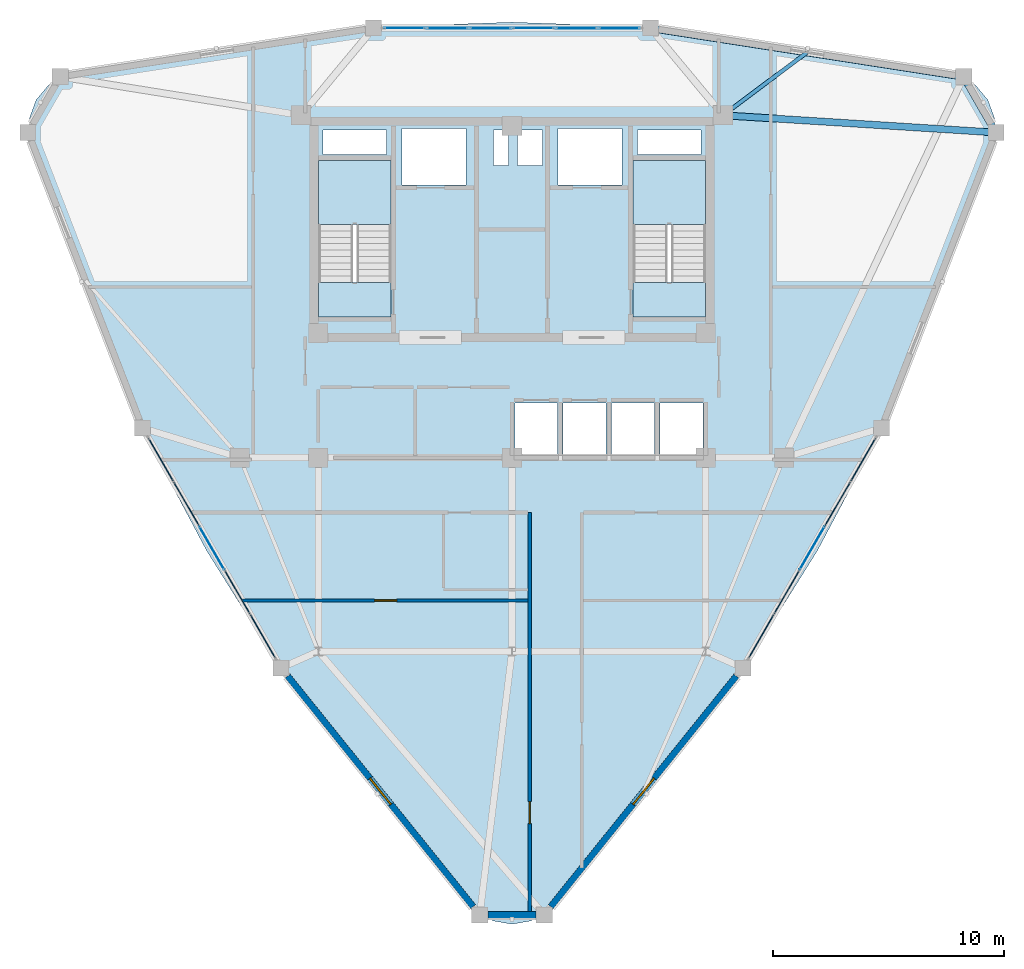
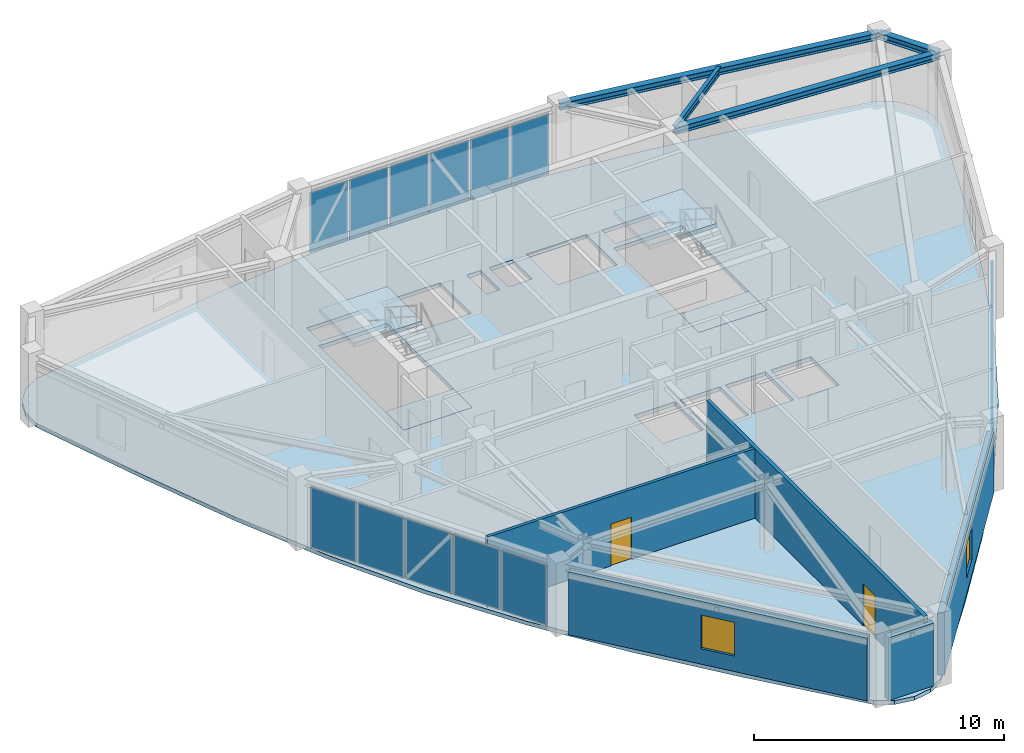
# One storey, part 10 of 15: 16 plates, 5 slabs, 5 walls, 4 beams, 2 doors, 2 windows, 4 openings, 5 elements without a shape of their own.
"""IFC4 building model written with IfcOpenShell, lengths in metres."""

from ifc_helpers import new_model, si_unit, derived_unit, direction, frame, frame_2d, origin, origin_2d, place, context, subcontext, project, spatial, polyline, rectangle, i_section, outline, extrude, source, transform, mapped, material, layer, layer_set, material_profile, profile_set, type_object, element, fill, aggregate, save


model = new_model("IFC4")

# Units and contexts
model_context = context("Model", 3, precision=1e-05, world=origin(), true_north=direction((0.0, 1.0)))
body_context = subcontext(model_context, "Body", "Model", "MODEL_VIEW")
ifc_project = project(units=[si_unit("LENGTHUNIT", "METRE"), si_unit("AREAUNIT", "SQUARE_METRE"), si_unit("VOLUMEUNIT", "CUBIC_METRE"), si_unit("PLANEANGLEUNIT", "RADIAN"), si_unit("MASSUNIT", "GRAM", prefix="KILO"), derived_unit("THERMALTRANSMITTANCEUNIT", [(si_unit("POWERUNIT", "WATT"), 1), (si_unit("LENGTHUNIT", "METRE"), -2), (si_unit("THERMODYNAMICTEMPERATUREUNIT", "KELVIN"), -1)])], contexts=[model_context])

# Site, building, storey
site_placement = place(None, origin())
site = spatial("IfcSite", under=ifc_project, at=site_placement, CompositionType="ELEMENT")
building_placement = place(site_placement, origin())
building = spatial("IfcBuilding", under=site, at=building_placement, Name="Korsvarv Bourse and Concert Hall", CompositionType="ELEMENT")
storey_placement = place(building_placement, frame((0.0, 0.0, 246.60009765625)))
storey = spatial("IfcBuildingStorey", under=building, at=storey_placement, Name="L64", CompositionType="ELEMENT", Elevation=246.60009765625)

# Beams
ifc_material_1 = material(Name="Steel S355", Category="steel")
ifc_material_profile_1 = material_profile(ifc_material_1, i_section(OverallWidth=0.300048828125, OverallDepth=0.330078125, WebThickness=0.009521484375, FlangeThickness=0.0166015625, FilletRadius=0.02099609375, at=origin_2d()), Name="HEA 340")
ifc_profile_set_1 = profile_set([ifc_material_profile_1], Name="Steel S355")
beam_type_1 = type_object("IfcBeamType", Name="BM-HEA340", PredefinedType="BEAM", material=ifc_profile_set_1)
shared_shape_1 = source(origin(), body_context, "Body", "SweptSolid", [
    extrude(i_section(OverallWidth=0.300048828125, OverallDepth=0.330078125, WebThickness=0.009521484375, FlangeThickness=0.0166015625, FilletRadius=0.02099609375, at=origin_2d()), origin(), (0.0, 0.0, 1.0), 2.794921875),
])
beam_1_placement = place(storey_placement, frame((56.98779296875, 46.503662109375, 3.244873046875), z_axis=(-0.500009789943, 0.866019751484, 0.0), x_axis=(-0.866019751484, -0.500009789943, 0.0)))
element("IfcBeam", 1, at=beam_1_placement, inside=storey, type_object=beam_type_1, Name="L64 beam B-12", PredefinedType="BEAM", context=body_context, shape_type="MappedRepresentation", body=[
    mapped(shared_shape_1, transform((0.0, 0.0, 0.0), scale=1.0)),
])
shared_shape_2 = source(origin(), body_context, "Body", "SweptSolid", [
    extrude(i_section(OverallWidth=0.300048828125, OverallDepth=0.330078125, WebThickness=0.009521484375, FlangeThickness=0.0166015625, FilletRadius=0.02099609375, at=origin_2d()), origin(), (0.0, 0.0, 1.0), 13.74853515625),
])
beam_2_placement = place(storey_placement, frame((55.59033203125, 48.924072265625, 3.244873046875), z_axis=(-0.988168614185, 0.153371411744, 0.0), x_axis=(-0.153371411744, -0.988168614185, 0.0)))
element("IfcBeam", 2, at=beam_2_placement, inside=storey, type_object=beam_type_1, Name="L64 beam B-12", PredefinedType="BEAM", context=body_context, shape_type="MappedRepresentation", body=[
    mapped(shared_shape_2, transform((0.0, 0.0, 0.0), scale=1.0)),
])
shared_shape_3 = source(origin(), body_context, "Body", "SweptSolid", [
    extrude(i_section(OverallWidth=0.300048828125, OverallDepth=0.330078125, WebThickness=0.009521484375, FlangeThickness=0.0166015625, FilletRadius=0.02099609375, at=origin_2d()), origin(), (0.0, 0.0, 1.0), 11.861328125),
])
beam_3_placement = place(storey_placement, frame((56.98779296875, 46.503662109375, 3.244873046875), z_axis=(-0.998018472991, 0.06292159858, 0.0), x_axis=(-0.06292159858, -0.998018472991, 0.0)))
element("IfcBeam", 3, at=beam_3_placement, inside=storey, type_object=beam_type_1, Name="L64 beam B-12", PredefinedType="BEAM", context=body_context, shape_type="MappedRepresentation", body=[
    mapped(shared_shape_3, transform((0.0, 0.0, 0.0), scale=1.0)),
])
ifc_material_profile_2 = material_profile(ifc_material_1, i_section(OverallWidth=0.169921875, OverallDepth=0.360107421875, WebThickness=0.008056640625, FlangeThickness=0.0126953125, FilletRadius=0.01806640625, at=origin_2d()), Name="IPE 360")
ifc_profile_set_2 = profile_set([ifc_material_profile_2], Name="Steel S355")
beam_type_2 = type_object("IfcBeamType", Name="BM-IPE360", PredefinedType="JOIST", material=ifc_profile_set_2)
shared_shape_4 = source(origin(), body_context, "Body", "SweptSolid", [
    extrude(i_section(OverallWidth=0.169921875, OverallDepth=0.360107421875, WebThickness=0.008056640625, FlangeThickness=0.0126953125, FilletRadius=0.01806640625, at=origin_2d()), origin(), (0.0, 0.0, 1.0), 4.55517578125),
])
beam_4_placement = place(storey_placement, frame((48.79736328125, 49.978515625, 3.22998046875), z_axis=(-0.800745457612, -0.599004768023, 0.0), x_axis=(0.599004768023, -0.800745457612, 0.0)))
element("IfcBeam", 4, at=beam_4_placement, inside=storey, type_object=beam_type_2, Name="L64 beam J-06", PredefinedType="JOIST", context=body_context, shape_type="MappedRepresentation", body=[
    mapped(shared_shape_4, transform((0.0, 0.0, 0.0), scale=1.0)),
])

# Slabs
ifc_material_2 = material(Name="Precast concrete C45/55", Category="concrete")
ifc_layer_1 = layer(ifc_material_2, 0.199951171875)
ifc_layer_set_1 = layer_set([ifc_layer_1], Name="Precast concrete C45/55")
slab_type_1 = type_object("IfcSlabType", Name="SLB-FLND-T", PredefinedType="LANDING", material=ifc_layer_set_1)
slab_1_placement = place(storey_placement, frame((0.0, 0.0, -0.2001953125)))
element("IfcSlab", 5, at=slab_1_placement, inside=storey, type_object=slab_type_1, Name="L64 Stair ST-T1 Floor Landing Slab", PredefinedType="LANDING", context=body_context, shape_type="SweptSolid", body=[
    extrude(outline(polyline([(30.760009765625, 38.5), (30.760009765625, 40.0), (27.60009765625, 40.0), (27.60009765625, 38.5), (30.760009765625, 38.5)])), origin(), (0.0, 0.0, 1.0), 0.2001953125),
])
slab_2_placement = place(storey_placement, frame((0.0, 0.0, -0.2001953125)))
element("IfcSlab", 6, at=slab_2_placement, inside=storey, type_object=slab_type_1, Name="L64 Stair ST-T2 Floor Landing Slab", PredefinedType="LANDING", context=body_context, shape_type="SweptSolid", body=[
    extrude(outline(polyline([(44.39990234375, 38.5), (44.39990234375, 40.0), (41.239990234375, 40.0), (41.239990234375, 38.5), (44.39990234375, 38.5)])), origin(), (0.0, 0.0, 1.0), 0.2001953125),
])

# Stair, slab
stair_type = type_object("IfcStairType", Name="STR-TYPE-04", PredefinedType="HALF_TURN_STAIR", material=ifc_material_2)
stair_1_placement = place(storey_placement, origin())
stair_1 = element("IfcStair", 7, at=stair_1_placement, inside=storey, type_object=stair_type, Name="L64 Tower West Exit Stair ST-T1", PredefinedType="HALF_TURN_STAIR")
ifc_layer_2 = layer(ifc_material_2, 0.199951171875)
ifc_layer_set_2 = layer_set([ifc_layer_2], Name="Precast concrete C45/55")
slab_type_2 = type_object("IfcSlabType", Name="SLB-ST-LND", PredefinedType="LANDING", material=ifc_layer_set_2)
slab_3_placement = place(storey_placement, frame((0.0, 0.0, 1.599853515625)))
slab_3 = element("IfcSlab", 8, at=slab_3_placement, type_object=slab_type_2, Name="ST-T1 landing 1", PredefinedType="LANDING", context=body_context, shape_type="SweptSolid", body=[
    extrude(outline(polyline([(30.760009765625, 42.52001953125), (30.760009765625, 45.300048828125), (27.60009765625, 45.300048828125), (27.60009765625, 42.52001953125), (30.760009765625, 42.52001953125)])), origin(), (0.0, 0.0, 1.0), 0.199951171875),
])
aggregate(stair_1, [slab_3])

stair_2_placement = place(storey_placement, origin())
stair_2 = element("IfcStair", 9, at=stair_2_placement, inside=storey, type_object=stair_type, Name="L64 Tower East Exit Stair ST-T2", PredefinedType="HALF_TURN_STAIR")
slab_4_placement = place(storey_placement, frame((0.0, 0.0, 1.599853515625)))
slab_4 = element("IfcSlab", 10, at=slab_4_placement, type_object=slab_type_2, Name="ST-T2 landing 1", PredefinedType="LANDING", context=body_context, shape_type="SweptSolid", body=[
    extrude(outline(polyline([(44.39990234375, 42.52001953125), (44.39990234375, 45.300048828125), (41.239990234375, 45.300048828125), (41.239990234375, 42.52001953125), (44.39990234375, 42.52001953125)])), origin(), (0.0, 0.0, 1.0), 0.199951171875),
])
aggregate(stair_2, [slab_4])

# Slab
ifc_material_3 = material(Name="Concrete C45/55", Category="concrete")
ifc_layer_3 = layer(ifc_material_3, 0.18994140625)
ifc_layer_set_3 = layer_set([ifc_layer_3], Name="Concrete C45/55")
slab_type_3 = type_object("IfcSlabType", Name="SLB-TW3", PredefinedType="FLOOR", material=ifc_layer_set_3)
slab_5_placement = place(storey_placement, frame((0.0, 0.0, -0.190185546875)))
element("IfcSlab", 11, at=slab_5_placement, inside=storey, type_object=slab_type_3, Name="L64 tower structural floor slab", PredefinedType="FLOOR", context=body_context, shape_type="SweptSolid", body=[
    extrude(outline(polyline([(56.586181640625, 45.354248046875), (54.984375, 40.93798828125), (53.281982421875, 36.6044921875), (51.3876953125, 32.4013671875), (49.239013671875, 28.3564453125), (46.810302734375, 24.47314453125), (44.11767578125, 20.731201171875), (41.2158203125, 17.090087890625), (38.192138671875, 13.49462890625), (38.191650390625, 13.493896484375), (37.552490234375, 12.732421875), (36.826171875, 12.31298828125), (36.0, 12.16748046875), (35.173828125, 12.31298828125), (34.447509765625, 12.732421875), (33.808349609375, 13.493896484375), (33.807861328125, 13.49462890625), (30.7841796875, 17.090087890625), (27.88232421875, 20.731201171875), (25.189697265625, 24.47314453125), (22.760986328125, 28.3564453125), (20.6123046875, 32.4013671875), (18.718017578125, 36.6044921875), (17.015625, 40.93798828125), (15.413818359375, 45.354248046875), (15.413330078125, 45.35498046875), (15.073486328125, 46.289306640625), (15.073486328125, 47.1279296875), (15.3603515625, 47.916259765625), (15.899658203125, 48.558837890625), (16.6259765625, 48.978271484375), (17.60498046875, 49.15087890625), (17.60595703125, 49.151123046875), (22.2314453125, 49.971923828125), (26.835693359375, 50.66455078125), (31.422607421875, 51.12548828125), (36.0, 51.287109375), (40.577392578125, 51.12548828125), (45.164306640625, 50.66455078125), (49.7685546875, 49.971923828125), (54.39404296875, 49.151123046875), (54.39501953125, 49.15087890625), (55.3740234375, 48.978271484375), (56.100341796875, 48.558837890625), (56.6396484375, 47.916259765625), (56.926513671875, 47.1279296875), (56.926513671875, 46.289306640625), (56.586669921875, 45.35498046875), (56.586181640625, 45.354248046875)]), holes=[polyline([(30.760009765625, 38.5), (30.760009765625, 45.300048828125), (27.60009765625, 45.300048828125), (27.60009765625, 38.5), (30.760009765625, 38.5)]), polyline([(44.39990234375, 38.5), (44.39990234375, 45.300048828125), (41.239990234375, 45.300048828125), (41.239990234375, 38.5), (44.39990234375, 38.5)]), polyline([(31.239990234375, 44.219970703125), (34.0, 44.219970703125), (34.0, 46.679931640625), (31.239990234375, 46.679931640625), (31.239990234375, 44.219970703125)]), polyline([(38.0, 44.219970703125), (40.760009765625, 44.219970703125), (40.760009765625, 46.679931640625), (38.0, 46.679931640625), (38.0, 44.219970703125)]), polyline([(36.1201171875, 32.52001953125), (37.97998046875, 32.52001953125), (37.97998046875, 34.780029296875), (36.1201171875, 34.780029296875), (36.1201171875, 32.52001953125)]), polyline([(38.219970703125, 32.52001953125), (40.080078125, 32.52001953125), (40.080078125, 34.780029296875), (38.219970703125, 34.780029296875), (38.219970703125, 32.52001953125)]), polyline([(40.320068359375, 32.52001953125), (42.179931640625, 32.52001953125), (42.179931640625, 34.780029296875), (40.320068359375, 34.780029296875), (40.320068359375, 32.52001953125)]), polyline([(42.419921875, 32.52001953125), (44.280029296875, 32.52001953125), (44.280029296875, 34.780029296875), (42.419921875, 34.780029296875), (42.419921875, 32.52001953125)]), polyline([(27.800048828125, 45.56005859375), (30.56005859375, 45.56005859375), (30.56005859375, 46.6201171875), (27.800048828125, 46.6201171875), (27.800048828125, 45.56005859375)]), polyline([(41.43994140625, 45.56005859375), (44.199951171875, 45.56005859375), (44.199951171875, 46.6201171875), (41.43994140625, 46.6201171875), (41.43994140625, 45.56005859375)]), polyline([(35.199951171875, 45.080078125), (35.840087890625, 45.080078125), (35.840087890625, 46.6201171875), (35.199951171875, 46.6201171875), (35.199951171875, 45.080078125)]), polyline([(36.239990234375, 45.080078125), (37.320068359375, 45.080078125), (37.320068359375, 46.6201171875), (36.239990234375, 46.6201171875), (36.239990234375, 45.080078125)])]), origin(), (0.0, 0.0, 1.0), 0.190185546875),
])

# Curtain wall, plates
ifc_material_4 = material(Name="Anodised aluminium and triple low-E glazing", Category="glass")
ifc_layer_4 = layer(ifc_material_4, 0.199951171875)
ifc_layer_set_4 = layer_set([ifc_layer_4], Name="Anodised aluminium and triple low-E glazing")
curtain_wall_type = type_object("IfcCurtainWallType", Name="CW-SYS-3", PredefinedType="NOTDEFINED", material=ifc_layer_set_4)
curtain_wall_1_placement = place(storey_placement, origin())
curtain_wall_1 = element("IfcCurtainWall", 12, at=curtain_wall_1_placement, inside=storey, type_object=curtain_wall_type, Name="L64 CW3 curtain wall CW-L64-F03", PredefinedType="NOTDEFINED")
ifc_material_5 = material(Name="Tempered triple insulated low-E architectural glass", Category="glass")
ifc_layer_5 = layer(ifc_material_5, 0.0380859375)
ifc_layer_set_5 = layer_set([ifc_layer_5], Name="Tempered triple insulated low-E architectural glass")
plate_type_1 = type_object("IfcPlateType", Name="CWP-VIS2", PredefinedType="CURTAIN_PANEL", material=ifc_layer_set_5)
shared_shape_5 = source(origin(), body_context, "Body", "SweptSolid", [
    extrude(rectangle(XDim=1.76318359375, YDim=0.0380859375, at=origin_2d()), origin(), (0.0, 0.0, 1.0), 2.949951171875),
])
plate_1_placement = place(storey_placement, frame((40.65283203125, 51.03271484375, 0.06494140625), z_axis=(0.0, 0.0, 1.0), x_axis=(-1.0, 0.0, 0.0)))
plate_1 = element("IfcPlate", 13, at=plate_1_placement, type_object=plate_type_1, Name="CW3 faceted panel 1.1", PredefinedType="CURTAIN_PANEL", context=body_context, shape_type="MappedRepresentation", body=[
    mapped(shared_shape_5, transform((0.0, 0.0, 0.0), scale=1.0)),
])
shared_shape_6 = source(origin(), body_context, "Body", "SweptSolid", [
    extrude(rectangle(XDim=1.798095703125, YDim=0.0380859375, at=origin_2d()), origin(), (0.0, 0.0, 1.0), 2.949951171875),
])
plate_2_placement = place(storey_placement, frame((38.80224609375, 51.03271484375, 0.06494140625), z_axis=(0.0, 0.0, 1.0), x_axis=(-1.0, 0.0, 0.0)))
plate_2 = element("IfcPlate", 14, at=plate_2_placement, type_object=plate_type_1, Name="CW3 faceted panel 2.1", PredefinedType="CURTAIN_PANEL", context=body_context, shape_type="MappedRepresentation", body=[
    mapped(shared_shape_6, transform((0.0, 0.0, 0.0), scale=1.0)),
])
plate_3_placement = place(storey_placement, frame((35.06591796875, 51.03271484375, 0.06494140625), z_axis=(0.0, 0.0, 1.0), x_axis=(-1.0, 0.0, 0.0)))
plate_3 = element("IfcPlate", 15, at=plate_3_placement, type_object=plate_type_1, Name="CW3 faceted panel 4.1", PredefinedType="CURTAIN_PANEL", context=body_context, shape_type="MappedRepresentation", body=[
    mapped(shared_shape_6, transform((0.0, 0.0, 0.0), scale=1.0)),
])
plate_4_placement = place(storey_placement, frame((33.19775390625, 51.03271484375, 0.06494140625), z_axis=(0.0, 0.0, 1.0), x_axis=(-1.0, 0.0, 0.0)))
plate_4 = element("IfcPlate", 16, at=plate_4_placement, type_object=plate_type_1, Name="CW3 faceted panel 5.1", PredefinedType="CURTAIN_PANEL", context=body_context, shape_type="MappedRepresentation", body=[
    mapped(shared_shape_6, transform((0.0, 0.0, 0.0), scale=1.0)),
])
ifc_material_6 = material(Name="Insulated spandrel glass", Category="glass")
ifc_layer_6 = layer(ifc_material_6, 0.031982421875)
ifc_layer_set_6 = layer_set([ifc_layer_6], Name="Insulated spandrel glass")
plate_type_2 = type_object("IfcPlateType", Name="CWP-SPD1", PredefinedType="CURTAIN_PANEL", material=ifc_layer_set_6)
shared_shape_7 = source(origin(), body_context, "Body", "SweptSolid", [
    extrude(rectangle(XDim=1.798095703125, YDim=0.031982421875, at=origin_2d()), origin(), (0.0, 0.0, 1.0), 2.949951171875),
])
plate_5_placement = place(storey_placement, frame((36.93408203125, 51.03271484375, 0.06494140625), z_axis=(0.0, 0.0, 1.0), x_axis=(-1.0, 0.0, 0.0)))
plate_5 = element("IfcPlate", 17, at=plate_5_placement, type_object=plate_type_2, Name="CW3 spandrel shadow-box panel 3.1", PredefinedType="CURTAIN_PANEL", context=body_context, shape_type="MappedRepresentation", body=[
    mapped(shared_shape_7, transform((0.0, 0.0, 0.0), scale=1.0)),
])
shared_shape_8 = source(origin(), body_context, "Body", "SweptSolid", [
    extrude(rectangle(XDim=1.76318359375, YDim=0.031982421875, at=origin_2d()), origin(), (0.0, 0.0, 1.0), 2.949951171875),
])
plate_6_placement = place(storey_placement, frame((31.34716796875, 51.03271484375, 0.06494140625), z_axis=(0.0, 0.0, 1.0), x_axis=(-1.0, 0.0, 0.0)))
plate_6 = element("IfcPlate", 18, at=plate_6_placement, type_object=plate_type_2, Name="CW3 spandrel shadow-box panel 6.1", PredefinedType="CURTAIN_PANEL", context=body_context, shape_type="MappedRepresentation", body=[
    mapped(shared_shape_8, transform((0.0, 0.0, 0.0), scale=1.0)),
])
aggregate(curtain_wall_1, [plate_1, plate_2, plate_5, plate_3, plate_4, plate_6])

curtain_wall_2_placement = place(storey_placement, origin())
curtain_wall_2 = element("IfcCurtainWall", 19, at=curtain_wall_2_placement, inside=storey, type_object=curtain_wall_type, Name="L64 CW3 curtain wall CW-L64-F07", PredefinedType="NOTDEFINED")
shared_shape_9 = source(origin(), body_context, "Body", "SweptSolid", [
    extrude(rectangle(XDim=2.112060546875, YDim=0.0380859375, at=origin_2d()), origin(), (0.0, 0.0, 1.0), 2.949951171875),
])
plate_7_placement = place(storey_placement, frame((20.77294921875, 32.308349609375, 0.06494140625), z_axis=(0.0, 0.0, 1.0), x_axis=(0.500006437765, -0.866021686907, 0.0)))
plate_7 = element("IfcPlate", 20, at=plate_7_placement, type_object=plate_type_1, Name="CW3 faceted panel 1.1", PredefinedType="CURTAIN_PANEL", context=body_context, shape_type="MappedRepresentation", body=[
    mapped(shared_shape_9, transform((0.0, 0.0, 0.0), scale=1.0)),
])
plate_8_placement = place(storey_placement, frame((25.189697265625, 24.658935546875, 0.06494140625), z_axis=(0.0, 0.0, 1.0), x_axis=(0.500006437765, -0.866021686907, 0.0)))
plate_8 = element("IfcPlate", 21, at=plate_8_placement, type_object=plate_type_1, Name="CW3 faceted panel 5.1", PredefinedType="CURTAIN_PANEL", context=body_context, shape_type="MappedRepresentation", body=[
    mapped(shared_shape_9, transform((0.0, 0.0, 0.0), scale=1.0)),
])

curtain_wall_3_placement = place(storey_placement, origin())
curtain_wall_3 = element("IfcCurtainWall", 22, at=curtain_wall_3_placement, inside=storey, type_object=curtain_wall_type, Name="L64 CW3 curtain wall CW-L64-F11", PredefinedType="NOTDEFINED")
plate_9_placement = place(storey_placement, frame((46.810302734375, 24.658935546875, 0.06494140625), z_axis=(0.0, 0.0, 1.0), x_axis=(0.500006437765, 0.866021686907, 0.0)))
plate_9 = element("IfcPlate", 23, at=plate_9_placement, type_object=plate_type_1, Name="CW3 faceted panel 1.1", PredefinedType="CURTAIN_PANEL", context=body_context, shape_type="MappedRepresentation", body=[
    mapped(shared_shape_9, transform((0.0, 0.0, 0.0), scale=1.0)),
])
plate_10_placement = place(storey_placement, frame((51.22705078125, 32.308349609375, 0.06494140625), z_axis=(0.0, 0.0, 1.0), x_axis=(0.500006437765, 0.866021686907, 0.0)))
plate_10 = element("IfcPlate", 24, at=plate_10_placement, type_object=plate_type_1, Name="CW3 faceted panel 5.1", PredefinedType="CURTAIN_PANEL", context=body_context, shape_type="MappedRepresentation", body=[
    mapped(shared_shape_9, transform((0.0, 0.0, 0.0), scale=1.0)),
])

# Plate
shared_shape_10 = source(origin(), body_context, "Body", "SweptSolid", [
    extrude(rectangle(XDim=2.14697265625, YDim=0.0380859375, at=origin_2d()), origin(), (0.0, 0.0, 1.0), 2.949951171875),
])
plate_11_placement = place(storey_placement, frame((21.872802734375, 30.403564453125, 0.06494140625), z_axis=(0.0, 0.0, 1.0), x_axis=(0.500006437765, -0.866021686907, 0.0)))
plate_11 = element("IfcPlate", 25, at=plate_11_placement, type_object=plate_type_1, Name="CW3 faceted panel 2.1", PredefinedType="CURTAIN_PANEL", context=body_context, shape_type="MappedRepresentation", body=[
    mapped(shared_shape_10, transform((0.0, 0.0, 0.0), scale=1.0)),
])

plate_12_placement = place(storey_placement, frame((24.08984375, 26.563720703125, 0.06494140625), z_axis=(0.0, 0.0, 1.0), x_axis=(0.500006437765, -0.866021686907, 0.0)))
plate_12 = element("IfcPlate", 26, at=plate_12_placement, type_object=plate_type_1, Name="CW3 faceted panel 4.1", PredefinedType="CURTAIN_PANEL", context=body_context, shape_type="MappedRepresentation", body=[
    mapped(shared_shape_10, transform((0.0, 0.0, 0.0), scale=1.0)),
])

plate_13_placement = place(storey_placement, frame((47.91015625, 26.563720703125, 0.06494140625), z_axis=(0.0, 0.0, 1.0), x_axis=(0.500006437765, 0.866021686907, 0.0)))
plate_13 = element("IfcPlate", 27, at=plate_13_placement, type_object=plate_type_1, Name="CW3 faceted panel 2.1", PredefinedType="CURTAIN_PANEL", context=body_context, shape_type="MappedRepresentation", body=[
    mapped(shared_shape_10, transform((0.0, 0.0, 0.0), scale=1.0)),
])

plate_14_placement = place(storey_placement, frame((50.127197265625, 30.403564453125, 0.06494140625), z_axis=(0.0, 0.0, 1.0), x_axis=(0.500006437765, 0.866021686907, 0.0)))
plate_14 = element("IfcPlate", 28, at=plate_14_placement, type_object=plate_type_1, Name="CW3 faceted panel 4.1", PredefinedType="CURTAIN_PANEL", context=body_context, shape_type="MappedRepresentation", body=[
    mapped(shared_shape_10, transform((0.0, 0.0, 0.0), scale=1.0)),
])

shared_shape_11 = source(origin(), body_context, "Body", "SweptSolid", [
    extrude(rectangle(XDim=2.14697265625, YDim=0.031982421875, at=origin_2d()), origin(), (0.0, 0.0, 1.0), 2.949951171875),
])
plate_15_placement = place(storey_placement, frame((22.981201171875, 28.483642578125, 0.06494140625), z_axis=(0.0, 0.0, 1.0), x_axis=(0.500006437765, -0.866021686907, 0.0)))
plate_15 = element("IfcPlate", 29, at=plate_15_placement, type_object=plate_type_2, Name="CW3 spandrel shadow-box panel 3.1", PredefinedType="CURTAIN_PANEL", context=body_context, shape_type="MappedRepresentation", body=[
    mapped(shared_shape_11, transform((0.0, 0.0, 0.0), scale=1.0)),
])

aggregate(curtain_wall_2, [plate_7, plate_11, plate_15, plate_12, plate_8])

plate_16_placement = place(storey_placement, frame((49.018798828125, 28.483642578125, 0.06494140625), z_axis=(0.0, 0.0, 1.0), x_axis=(0.500006437765, 0.866021686907, 0.0)))
plate_16 = element("IfcPlate", 30, at=plate_16_placement, type_object=plate_type_2, Name="CW3 spandrel shadow-box panel 3.1", PredefinedType="CURTAIN_PANEL", context=body_context, shape_type="MappedRepresentation", body=[
    mapped(shared_shape_11, transform((0.0, 0.0, 0.0), scale=1.0)),
])

aggregate(curtain_wall_3, [plate_9, plate_13, plate_16, plate_14, plate_10])

# Wall
ifc_material_7 = material(Name="Precast concrete C45/55 with terracotta rainscreen", Category="concrete")
ifc_layer_7 = layer(ifc_material_7, 0.300048828125)
ifc_layer_set_7 = layer_set([ifc_layer_7], Name="Precast concrete C45/55 with terracotta rainscreen")
wall_type_1 = type_object("IfcWallType", Name="WL-EXT-TC1", PredefinedType="SOLIDWALL", material=ifc_layer_set_7)
wall_1_placement = place(storey_placement, frame((34.95751953125, 12.572265625, 0.0), z_axis=(0.0, 0.0, 1.0), x_axis=(1.0, 0.0, 0.0)))
element("IfcWall", 31, at=wall_1_placement, inside=storey, type_object=wall_type_1, Name="L64 terracotta exterior wall EW-L64-B09", PredefinedType="SOLIDWALL", context=body_context, shape_type="SweptSolid", body=[
    extrude(rectangle(XDim=2.0849609375, YDim=0.300048828125, at=frame_2d((1.04248046875, 0.0))), origin(), (0.0, 0.0, 1.0), 3.079833984375),
])

# Wall, opening, window
ifc_material_8 = material(Name="Precast concrete C45/55 with fluted terracotta pier", Category="concrete")
ifc_layer_8 = layer(ifc_material_8, 0.280029296875)
ifc_layer_set_8 = layer_set([ifc_layer_8], Name="Precast concrete C45/55 with fluted terracotta pier")
wall_type_2 = type_object("IfcWallType", Name="WL-EXT-TC2", PredefinedType="SOLIDWALL", material=ifc_layer_set_8)
wall_2_placement = place(storey_placement, frame((26.269287109375, 22.9287109375, 0.0), z_axis=(0.0, 0.0, 1.0), x_axis=(0.626898207352, -0.779101172903, 0.0)))
wall_2 = element("IfcWall", 32, at=wall_2_placement, inside=storey, type_object=wall_type_2, Name="L64 terracotta exterior wall EW-L64-B08", PredefinedType="SOLIDWALL", context=body_context, shape_type="SweptSolid", body=[
    extrude(rectangle(XDim=12.837158203125, YDim=0.280029296875, at=frame_2d((6.41845703125, 0.0))), origin(), (0.0, 0.0, 1.0), 3.079833984375),
])
opening_1_placement = place(wall_2_placement, frame((5.693603515625, 0.0, 0.75)))
opening_1 = element("IfcOpeningElement", 33, at=opening_1_placement, cuts=wall_2, Name="Opening W-02", PredefinedType="OPENING", context=body_context, shape_type="SweptSolid", body=[
    extrude(rectangle(XDim=1.449951171875, YDim=1.64990234375, at=frame_2d((0.72509765625, 0.824951171875))), frame((0.0, 0.14990234375, 0.0), z_axis=(0.0, -1.0, 0.0), x_axis=(1.0, 0.0, 0.0)), (0.0, 0.0, 1.0), 0.300048828125),
])
ifc_material_9 = material(Name="Thermally broken aluminium frame with triple low-E glass", Category="glass")
window_type = type_object("IfcWindowType", Name="WIN-TW2", PartitioningType="SINGLE_PANEL", PredefinedType="WINDOW", material=ifc_material_9)
window_1_placement = place(opening_1_placement, origin())
window_1 = element("IfcWindow", 34, at=window_1_placement, inside=storey, type_object=window_type, Name="L64 punched facade window W-02", OverallHeight=1.64990234375, OverallWidth=1.449951171875, PartitioningType="SINGLE_PANEL", PredefinedType="WINDOW", context=body_context, shape_type="SweptSolid", body=[
    extrude(rectangle(XDim=1.449951171875, YDim=1.64990234375, at=frame_2d((0.72509765625, 0.824951171875))), frame((0.0, 0.030029296875, 0.0), z_axis=(0.0, -1.0, 0.0), x_axis=(1.0, 0.0, 0.0)), (0.0, 0.0, 1.0), 0.06005859375),
])
fill(opening_1, window_1)

wall_3_placement = place(storey_placement, frame((37.68310546875, 12.92724609375, 0.0), z_axis=(0.0, 0.0, 1.0), x_axis=(0.626898207352, 0.779101172903, 0.0)))
wall_3 = element("IfcWall", 35, at=wall_3_placement, inside=storey, type_object=wall_type_2, Name="L64 terracotta exterior wall EW-L64-B10", PredefinedType="SOLIDWALL", context=body_context, shape_type="SweptSolid", body=[
    extrude(rectangle(XDim=12.837158203125, YDim=0.280029296875, at=frame_2d((6.41845703125, 0.0))), origin(), (0.0, 0.0, 1.0), 3.0498046875),
])
opening_2_placement = place(wall_3_placement, frame((5.693603515625, 0.0, 0.75)))
opening_2 = element("IfcOpeningElement", 36, at=opening_2_placement, cuts=wall_3, Name="Opening W-02", PredefinedType="OPENING", context=body_context, shape_type="SweptSolid", body=[
    extrude(rectangle(XDim=1.449951171875, YDim=1.64990234375, at=frame_2d((0.72509765625, 0.824951171875))), frame((0.0, 0.14990234375, 0.0), z_axis=(0.0, -1.0, 0.0), x_axis=(1.0, 0.0, 0.0)), (0.0, 0.0, 1.0), 0.300048828125),
])
window_2_placement = place(opening_2_placement, origin())
window_2 = element("IfcWindow", 37, at=window_2_placement, inside=storey, type_object=window_type, Name="L64 punched facade window W-02", OverallHeight=1.64990234375, OverallWidth=1.449951171875, PartitioningType="SINGLE_PANEL", PredefinedType="WINDOW", context=body_context, shape_type="SweptSolid", body=[
    extrude(rectangle(XDim=1.449951171875, YDim=1.64990234375, at=frame_2d((0.72509765625, 0.824951171875))), frame((0.0, 0.030029296875, 0.0), z_axis=(0.0, -1.0, 0.0), x_axis=(1.0, 0.0, 0.0)), (0.0, 0.0, 1.0), 0.06005859375),
])
fill(opening_2, window_2)

# Wall, opening, door
ifc_material_10 = material(Name="Double-stud fire-rated acoustic partition", Category="gypsum")
ifc_layer_9 = layer(ifc_material_10, 0.159912109375)
ifc_layer_set_9 = layer_set([ifc_layer_9], Name="Double-stud fire-rated acoustic partition")
wall_type_3 = type_object("IfcWallType", Name="WL-INT-EI60", PredefinedType="PARTITIONING", material=ifc_layer_set_9)
wall_4_placement = place(storey_placement, frame((36.77490234375, 12.59228515625, 0.0), z_axis=(0.0, 0.0, 1.0), x_axis=(0.0, 1.0, 0.0)))
wall_4 = element("IfcWall", 38, at=wall_4_placement, inside=storey, type_object=wall_type_3, Name="L64 interior partition wall W-L64-TCOR-03", PredefinedType="PARTITIONING", context=body_context, shape_type="SweptSolid", body=[
    extrude(rectangle(XDim=17.437744140625, YDim=0.159912109375, at=frame_2d((8.71875, 0.0))), origin(), (0.0, 0.0, 1.0), 3.409912109375),
])
opening_3_placement = place(wall_4_placement, frame((3.93701171875, 0.0, 0.0)))
opening_3 = element("IfcOpeningElement", 39, at=opening_3_placement, cuts=wall_4, Name="Opening D-02", PredefinedType="OPENING", context=body_context, shape_type="SweptSolid", body=[
    extrude(rectangle(XDim=0.949951171875, YDim=2.050048828125, at=frame_2d((0.47509765625, 1.02490234375))), frame((0.0, 0.08984375, 0.0), z_axis=(0.0, -1.0, 0.0), x_axis=(1.0, 0.0, 0.0)), (0.0, 0.0, 1.0), 0.179931640625),
])
ifc_material_11 = material(Name="Timber and steel acoustic fire door", Category="wood")
door_type_1 = type_object("IfcDoorType", Name="DR-FD30", OperationType="NOTDEFINED", PredefinedType="DOOR", material=ifc_material_11)
door_1_placement = place(opening_3_placement, origin())
door_1 = element("IfcDoor", 40, at=door_1_placement, inside=storey, type_object=door_type_1, Name="L64 interior door DR-L64-TCOR-GSW6", OperationType="SINGLE_SWING_RIGHT", OverallHeight=2.050048828125, OverallWidth=0.949951171875, PredefinedType="DOOR", context=body_context, shape_type="SweptSolid", body=[
    extrude(rectangle(XDim=0.949951171875, YDim=2.050048828125, at=frame_2d((0.47509765625, 1.02490234375))), frame((0.0, 0.02490234375, 0.0), z_axis=(0.0, -1.0, 0.0), x_axis=(1.0, 0.0, 0.0)), (0.0, 0.0, 1.0), 0.050048828125),
])
fill(opening_3, door_1)

ifc_material_12 = material(Name="Insulated steel-stud office acoustic partition", Category="gypsum")
ifc_layer_10 = layer(ifc_material_12, 0.139892578125)
ifc_layer_set_10 = layer_set([ifc_layer_10], Name="Insulated steel-stud office acoustic partition")
wall_type_4 = type_object("IfcWallType", Name="WL-INT-P1", PredefinedType="PARTITIONING", material=ifc_layer_set_10)
wall_5_placement = place(storey_placement, frame((24.31689453125, 26.205078125, 0.0), z_axis=(0.0, 0.0, 1.0), x_axis=(1.0, 0.0, 0.0)))
wall_5 = element("IfcWall", 41, at=wall_5_placement, inside=storey, type_object=wall_type_4, Name="L64 interior partition wall W-L64-TCOR-11", PredefinedType="PARTITIONING", context=body_context, shape_type="SweptSolid", body=[
    extrude(rectangle(XDim=12.376220703125, YDim=0.139892578125, at=frame_2d((6.18798828125, 0.0))), origin(), (0.0, 0.0, 1.0), 3.409912109375),
])
opening_4_placement = place(wall_5_placement, frame((5.72705078125, 0.0, 0.0)))
opening_4 = element("IfcOpeningElement", 42, at=opening_4_placement, cuts=wall_5, Name="Opening D-03", PredefinedType="OPENING", context=body_context, shape_type="SweptSolid", body=[
    extrude(rectangle(XDim=0.949951171875, YDim=2.050048828125, at=frame_2d((0.47509765625, 1.02490234375))), frame((0.0, 0.080078125, 0.0), z_axis=(0.0, -1.0, 0.0), x_axis=(1.0, 0.0, 0.0)), (0.0, 0.0, 1.0), 0.159912109375),
])
ifc_material_13 = material(Name="Nordic oak acoustic office door", Category="wood")
door_type_2 = type_object("IfcDoorType", Name="DR-INT-1", OperationType="NOTDEFINED", PredefinedType="DOOR", material=ifc_material_13)
door_2_placement = place(opening_4_placement, origin())
door_2 = element("IfcDoor", 43, at=door_2_placement, inside=storey, type_object=door_type_2, Name="L64 interior door DR-L64-TCOR-GLV7", OperationType="SINGLE_SWING_LEFT", OverallHeight=2.050048828125, OverallWidth=0.949951171875, PredefinedType="DOOR", context=body_context, shape_type="SweptSolid", body=[
    extrude(rectangle(XDim=0.949951171875, YDim=2.050048828125, at=frame_2d((0.47509765625, 1.02490234375))), frame((0.0, 0.02490234375, 0.0), z_axis=(0.0, -1.0, 0.0), x_axis=(1.0, 0.0, 0.0)), (0.0, 0.0, 1.0), 0.050048828125),
])
fill(opening_4, door_2)

save(model, "model.ifc")
